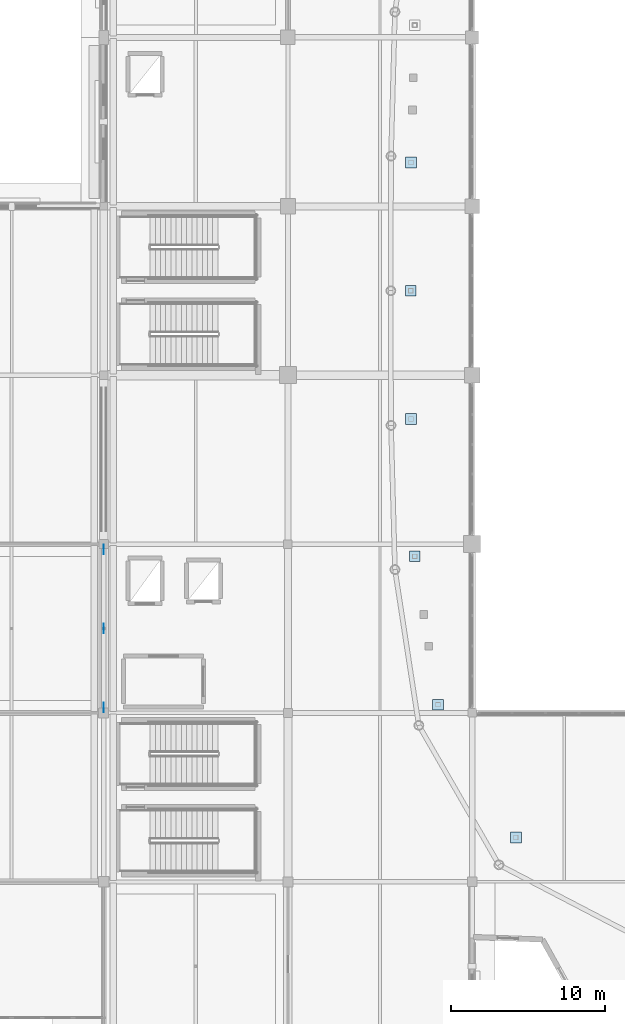
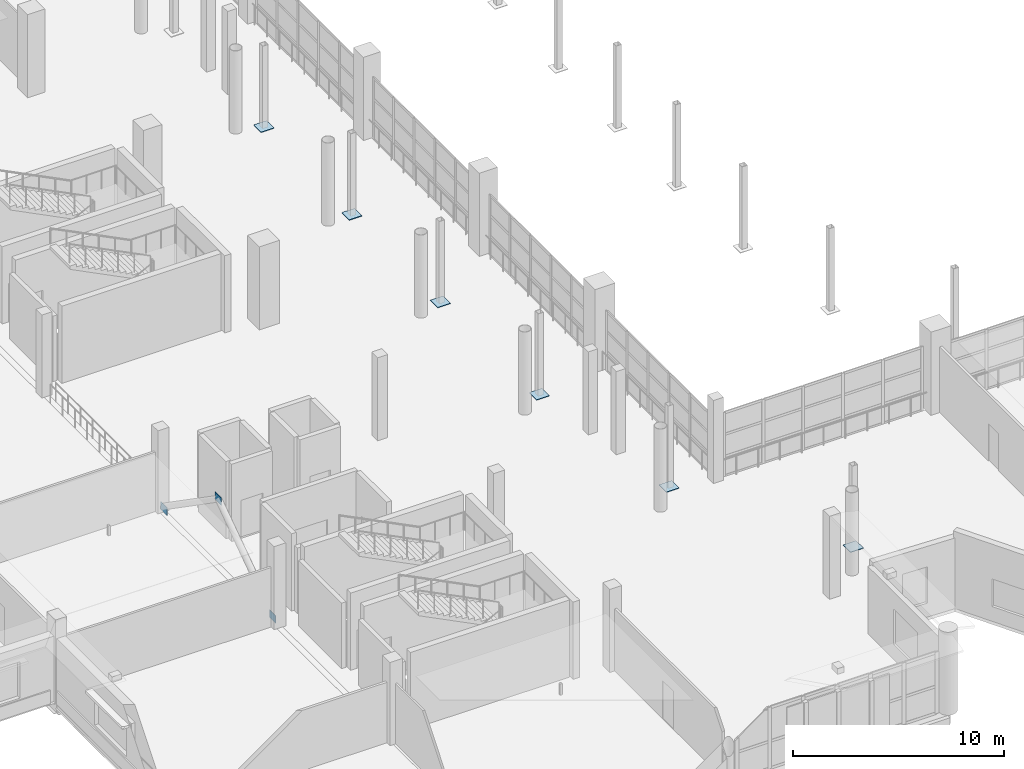
# One storey, part 84 of 143: 9 plates.
"""IFC4 building model written with IfcOpenShell, lengths in metres."""

from ifc_helpers import new_model, si_unit, direction, frame, origin, origin_2d, place, context, subcontext, project, spatial, rectangle, extrude, material, layer, layer_set, type_object, element, save


model = new_model("IFC4")

# Units and contexts
model_context = context("Model", 3, precision=1e-05, world=origin(), true_north=direction((0.0, 1.0)))
body_context = subcontext(model_context, "Body", "Model", "MODEL_VIEW")
ifc_project = project(units=[si_unit("LENGTHUNIT", "METRE"), si_unit("AREAUNIT", "SQUARE_METRE"), si_unit("VOLUMEUNIT", "CUBIC_METRE"), si_unit("PLANEANGLEUNIT", "RADIAN"), si_unit("MASSUNIT", "GRAM", prefix="KILO")], contexts=[model_context])

# Site, building, storey
site_placement = place(None, origin())
site = spatial("IfcSite", under=ifc_project, at=site_placement, CompositionType="ELEMENT")
building_placement = place(site_placement, origin())
building = spatial("IfcBuilding", under=site, at=building_placement, Name="Luwafu Chhajja Arena", CompositionType="ELEMENT")
storey_placement = place(building_placement, frame((0.0, 0.0, 5.39990234375)))
storey = spatial("IfcBuildingStorey", under=building, at=storey_placement, Name="L01", CompositionType="ELEMENT", Elevation=5.39990234375)

# Plates
ifc_material = material(Name="Steel S355", Category="steel")
ifc_layer_1 = layer(ifc_material, 0.031982421875, Name="Steel S355")
ifc_layer_set_1 = layer_set([ifc_layer_1], Name="Steel S355")
plate_type_1 = type_object("IfcPlateType", Name="Atrium Column Base Plate BP-2", PredefinedType="USERDEFINED", material=ifc_layer_set_1)
for number, where, z_axis, x_axis, name in (
    (1, (54.01220703125, 57.85205078125, 0.0), (0.0, 0.0, 1.0), (1.0, 0.0, 0.0), "Raker Post Base Plate BP-2 UO16"),
    (2, (54.0, 49.5, 0.0), (0.0, 0.0, 1.0), (1.0, 0.0, 0.0), "Raker Post Base Plate BP-2 UO17"),
    (3, (54.01220703125, 41.14794921875, 0.0), (0.0, 0.0, 1.0), (1.0, 0.0, 0.0), "Raker Post Base Plate BP-2 UO18"),
    (4, (54.260498046875, 32.20361328125, 0.0), (0.0, 0.0, 1.0), (1.0, 0.0, 0.0), "Raker Post Base Plate BP-2 UO19"),
    (5, (55.772705078125, 22.5419921875, 0.0), (0.0, 0.0, 1.0), (1.0, 0.0, 0.0), "Raker Post Base Plate BP-2 UO20"),
    (6, (60.84619140625, 13.8896484375, 0.0), (0.0, 0.0, 1.0), (1.0, 0.0, 0.0), "Raker Post Base Plate BP-2 UO21"),
):
    element("IfcPlate", number, at=place(storey_placement, frame(where, z_axis=z_axis, x_axis=x_axis)), inside=storey, type_object=plate_type_1, Name=name, ObjectType="BASE PLATE", PredefinedType="USERDEFINED", context=body_context, shape_type="SweptSolid", body=[
        extrude(rectangle(XDim=0.699951171875, YDim=0.699951171875, at=origin_2d()), origin(), (0.0, 0.0, 1.0), 0.031982421875),
    ])
ifc_layer_2 = layer(ifc_material, 0.02197265625, Name="Steel S355")
ifc_layer_set_2 = layer_set([ifc_layer_2], Name="Steel S355")
plate_type_2 = type_object("IfcPlateType", Name="Lateral Brace Gusset Plate BN-1", PredefinedType="USERDEFINED", material=ifc_layer_set_2)
for number, where, z_axis, x_axis, name in (
    (7, (34.0, 27.5, 3.7099609375), (0.0, 0.0, 1.0), (1.0, 0.0, 0.0), "L01 Chevron Apex Gusset Plate BN-1 03"),
    (8, (34.0, 22.35009765625, 0.02490234375), (0.0, 0.0, 1.0), (1.0, 0.0, 0.0), "L01 Brace Base Gusset BN-1 03A"),
    (9, (34.0, 32.64990234375, 0.02490234375), (0.0, 0.0, 1.0), (1.0, 0.0, 0.0), "L01 Brace Base Gusset BN-1 03B"),
):
    element("IfcPlate", number, at=place(storey_placement, frame(where, z_axis=z_axis, x_axis=x_axis)), inside=storey, type_object=plate_type_2, Name=name, ObjectType="GUSSET PLATE", PredefinedType="USERDEFINED", context=body_context, shape_type="SweptSolid", body=[
        extrude(rectangle(XDim=0.02197265625, YDim=0.60009765625, at=origin_2d()), origin(), (0.0, 0.0, 1.0), 0.449951171875),
    ])

save(model, "model.ifc")
